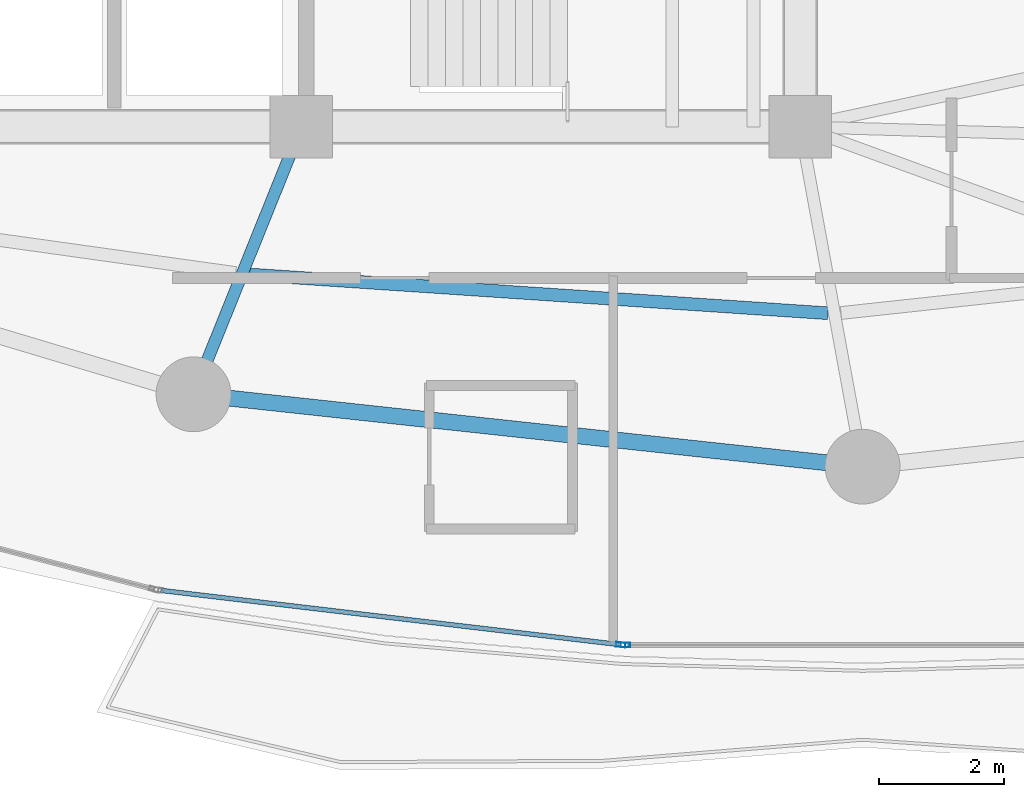
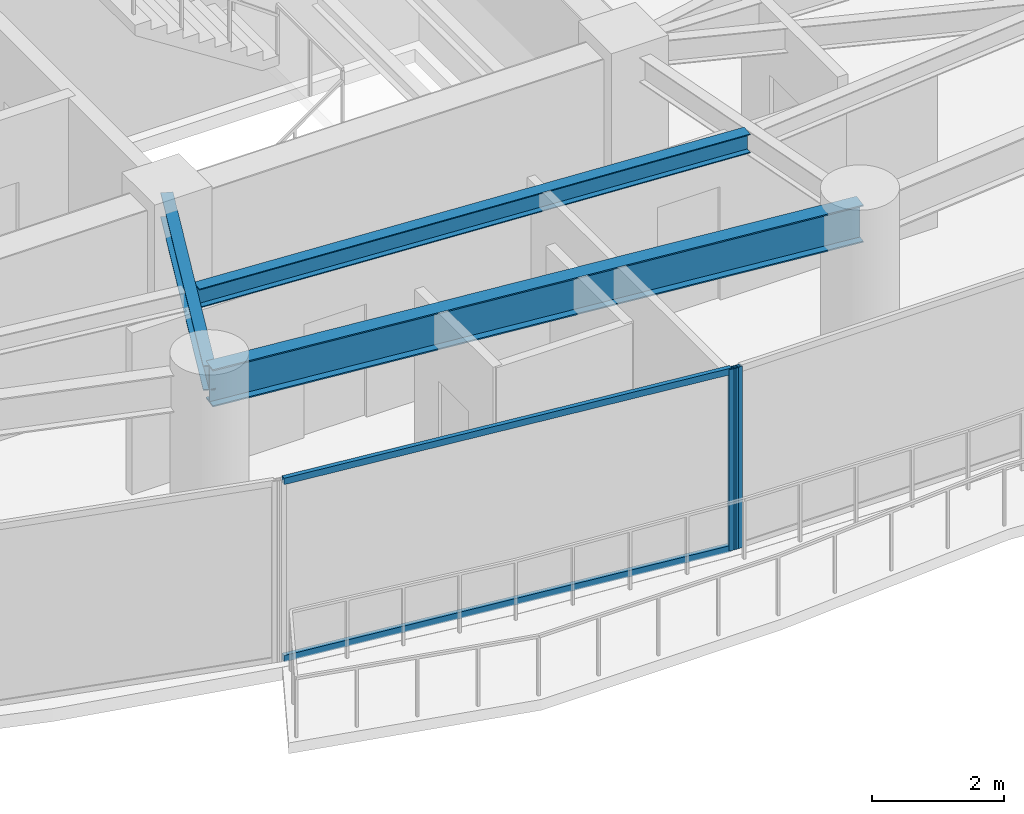
# One storey, part 6 of 33: 4 members, 3 beams, 2 elements without a shape of their own.
"""IFC4 building model written with IfcOpenShell, lengths in metres."""

import ifcopenshell
import ifcopenshell.guid

model = None  # the IFC model being written
_history = None  # IfcOwnerHistory: only IFC2X3 demands one
_inside = {}  # id of a spatial element -> (the spatial element, [elements in it])
_under = {}  # id of a project, library or spatial element -> (it, [spatial elements below it])
_declared = {}  # id of a project -> (the project, [libraries it declares])
_typed = {}  # id of a type object -> (the type object, [elements of that type])
_made_of = {}  # id of a material, layer set ... -> (it, [elements and type objects made of it])


def new_model(schema):
    """Start an empty IFC model of exactly this schema.

    Asked for "IFC4X3", IfcOpenShell would pick the latest addendum, in which some entities
    have other attributes; the version numbers below select the first issue.
    IFC2X3 requires an IfcOwnerHistory on every rooted entity: one is made here for all.
    """
    global model, _history
    if schema == "IFC4X3":
        model = ifcopenshell.file(schema_version=(4, 3, 0, 0))
    else:
        model = ifcopenshell.file(schema=schema)
    _inside.clear()
    _under.clear()
    _declared.clear()
    _typed.clear()
    _made_of.clear()
    _history = None
    if model.schema == "IFC2X3":
        org = make("IfcOrganization", Name="unknown")
        user = make(
            "IfcPersonAndOrganization",
            ThePerson=make("IfcPerson", FamilyName="unknown"),
            TheOrganization=org,
        )
        app = make(
            "IfcApplication",
            ApplicationDeveloper=org,
            Version="unknown",
            ApplicationFullName="unknown",
            ApplicationIdentifier="unknown",
        )
        _history = make(
            "IfcOwnerHistory",
            OwningUser=user,
            OwningApplication=app,
            ChangeAction="ADDED",
            CreationDate=0,
        )
    return model


def make(cls, **values):
    """One entity of the class cls with the attributes given. An attribute that is None is left unset."""
    return model.create_entity(
        cls, **{name: value for name, value in values.items() if value is not None}
    )


def rooted(cls, **values):
    """An entity with a GlobalId (a new one), such as an element, a storey or a relation."""
    return make(cls, GlobalId=ifcopenshell.guid.new(), OwnerHistory=_history, **values)


def si_unit(unit_type, name, prefix=None):
    """IfcSIUnit, for example si_unit("LENGTHUNIT", "METRE", prefix="MILLI")."""
    return make("IfcSIUnit", UnitType=unit_type, Prefix=prefix, Name=name)


def assignment(units):
    """IfcUnitAssignment: the units of a project."""
    return None if units is None else make("IfcUnitAssignment", Units=units)


def point(xyz):
    """IfcCartesianPoint."""
    return None if xyz is None else make("IfcCartesianPoint", Coordinates=xyz)


def direction(xyz):
    """IfcDirection."""
    return None if xyz is None else make("IfcDirection", DirectionRatios=xyz)


def frame(location, z_axis=None, x_axis=None):
    """IfcAxis2Placement3D, a coordinate frame: its origin and axes. An axis left out is left unset."""
    return make(
        "IfcAxis2Placement3D",
        Location=point(location),
        Axis=direction(z_axis),
        RefDirection=direction(x_axis),
    )


def frame_2d(location, x_axis=None):
    """IfcAxis2Placement2D, a coordinate frame in the plane: its origin and x axis."""
    return make(
        "IfcAxis2Placement2D", Location=point(location), RefDirection=direction(x_axis)
    )


def origin():
    """The frame at (0, 0, 0) with its axes left unset."""
    return frame((0.0, 0.0, 0.0))


def origin_2d():
    """The frame at (0, 0) in the plane with its x axis left unset."""
    return frame_2d((0.0, 0.0))


def place(relative_to, where):
    """IfcLocalPlacement: puts the frame where relative to a parent placement (None: the world)."""
    return make(
        "IfcLocalPlacement", PlacementRelTo=relative_to, RelativePlacement=where
    )


def context(
    kind, dimensions, precision=None, world=None, true_north=None, identifier=None
):
    """IfcGeometricRepresentationContext, for example the 3D "Model" context."""
    return make(
        "IfcGeometricRepresentationContext",
        ContextIdentifier=identifier,
        ContextType=kind,
        CoordinateSpaceDimension=dimensions,
        Precision=precision,
        WorldCoordinateSystem=world,
        TrueNorth=true_north,
    )


def subcontext(parent, identifier, kind, view, scale=None):
    """IfcGeometricRepresentationSubContext, for example "Body" below "Model"."""
    return make(
        "IfcGeometricRepresentationSubContext",
        ContextIdentifier=identifier,
        ContextType=kind,
        ParentContext=parent,
        TargetScale=scale,
        TargetView=view,
    )


def project(units=None, contexts=None):
    """IfcProject with its units and contexts."""
    return rooted(
        "IfcProject",
        Name="project",
        RepresentationContexts=contexts,
        UnitsInContext=assignment(units),
    )


def spatial(cls, under=None, at=None, **own):
    """A site, building, storey or space (cls), placed at a placement, below another one or the project."""
    s = rooted(cls, ObjectPlacement=at, **own)
    if under is not None:
        _under.setdefault(under.id(), (under, []))[1].append(s)
    return s


def profile(cls, at=None, kind="AREA", **sizes):
    """A parametric profile (cls). Its sizes go by their IFC names, for example OverallWidth=200.0."""
    return make(cls, ProfileType=kind, Position=at, **sizes)


def hollow_rectangle(**sizes):
    """IfcRectangleHollowProfileDef."""
    return profile("IfcRectangleHollowProfileDef", **sizes)


def i_section(**sizes):
    """IfcIShapeProfileDef."""
    return profile("IfcIShapeProfileDef", **sizes)


def extrude(swept, where, along, depth):
    """IfcExtrudedAreaSolid: the profile swept, set in the frame where, extruded along a direction by depth."""
    return make(
        "IfcExtrudedAreaSolid",
        SweptArea=swept,
        Position=where,
        ExtrudedDirection=direction(along),
        Depth=depth,
    )


def shape(context_of_items, identifier, shape_type, items):
    """IfcShapeRepresentation: the items that make up one representation, for example the "Body"."""
    return make(
        "IfcShapeRepresentation",
        ContextOfItems=context_of_items,
        RepresentationIdentifier=identifier,
        RepresentationType=shape_type,
        Items=items,
    )


def material(Name=None, Category=None):
    """IfcMaterial."""
    return make("IfcMaterial", Name=Name, Category=Category)


def layer(
    of_material, thickness, ventilated=None, Name=None, Category=None, Priority=None
):
    """IfcMaterialLayer: one layer of a wall or slab, of a material (None: an air gap)."""
    return make(
        "IfcMaterialLayer",
        Material=of_material,
        LayerThickness=thickness,
        IsVentilated=ventilated,
        Name=Name,
        Category=Category,
        Priority=Priority,
    )


def layer_set(layers, Name=None):
    """IfcMaterialLayerSet."""
    return make("IfcMaterialLayerSet", MaterialLayers=layers, LayerSetName=Name)


def material_profile(
    of_material, cross_section, Name=None, Category=None, Priority=None
):
    """IfcMaterialProfile: a cross section and its material."""
    return make(
        "IfcMaterialProfile",
        Name=Name,
        Material=of_material,
        Profile=cross_section,
        Priority=Priority,
        Category=Category,
    )


def profile_set(profiles, Name=None, composite=None):
    """IfcMaterialProfileSet."""
    return make(
        "IfcMaterialProfileSet",
        Name=Name,
        MaterialProfiles=profiles,
        CompositeProfile=composite,
    )


def made_of(thing, what):
    """Note that an element or type object is made of a material, layer set ...; save() writes the relation."""
    if what is not None:
        _made_of.setdefault(what.id(), (what, []))[1].append(thing)
    return thing


def type_object(cls, material=None, **own):
    """A type object (cls), such as IfcWallType, which elements share."""
    return made_of(rooted(cls, **own), material)


def element(
    cls,
    number,
    at=None,
    inside=None,
    cuts=None,
    type_object=None,
    material=None,
    context=None,
    identifier="Body",
    shape_type=None,
    held_by="IfcProductDefinitionShape",
    body=None,
    shapes=None,
    **own,
):
    """One element of the class cls, such as IfcWall. Its Tag is "e" and its number.

    at: its placement. inside: the storey or other place that contains it. cuts: it is an
    opening in that element (IfcRelVoidsElement). A single representation is given by context,
    identifier, shape_type and body (its items); several are given by shapes. held_by: the class
    of the entity that holds the representations. save() writes the other relations.
    """
    e = rooted(cls, Tag="e%d" % number, ObjectPlacement=at, **own)
    if body is not None:
        shapes = [shape(context, identifier, shape_type, body)]
    if shapes is not None:
        e.Representation = make(held_by, Representations=shapes)
    if inside is not None:
        _inside.setdefault(inside.id(), (inside, []))[1].append(e)
    if cuts is not None:
        rooted(
            "IfcRelVoidsElement", RelatingBuildingElement=cuts, RelatedOpeningElement=e
        )
    if type_object is not None:
        _typed.setdefault(type_object.id(), (type_object, []))[1].append(e)
    return made_of(e, material)


def aggregate(whole, parts):
    """IfcRelAggregates: a whole, such as a stair, and the parts it consists of."""
    return rooted("IfcRelAggregates", RelatingObject=whole, RelatedObjects=parts)


def save(model, path):
    """Write the relations noted so far, then the file.

    IfcRelAggregates (storeys below a building ...), IfcRelContainedInSpatialStructure (elements
    in a storey), IfcRelDefinesByType, IfcRelAssociatesMaterial and IfcRelDeclares: one each for
    every whole, place, type object, material and project.
    """
    for whole, parts in _under.values():
        aggregate(whole, parts)
    for where, things in _inside.values():
        rooted(
            "IfcRelContainedInSpatialStructure",
            RelatedElements=things,
            RelatingStructure=where,
        )
    for kind, things in _typed.values():
        rooted("IfcRelDefinesByType", RelatedObjects=things, RelatingType=kind)
    for what, things in _made_of.values():
        rooted("IfcRelAssociatesMaterial", RelatedObjects=things, RelatingMaterial=what)
    for by, libraries in _declared.values():
        rooted("IfcRelDeclares", RelatingContext=by, RelatedDefinitions=libraries)
    model.write(path)


model = new_model("IFC4")

# Units and contexts
model_context = context("Model", 3, precision=1e-05, world=origin(), true_north=direction((0.0, 1.0)))
body_context = subcontext(model_context, "Body", "Model", "MODEL_VIEW")
ifc_project = project(units=[si_unit("LENGTHUNIT", "METRE"), si_unit("AREAUNIT", "SQUARE_METRE"), si_unit("VOLUMEUNIT", "CUBIC_METRE"), si_unit("PLANEANGLEUNIT", "RADIAN"), si_unit("MASSUNIT", "GRAM", prefix="KILO")], contexts=[model_context])

# Site, building, storey
site_placement = place(None, origin())
site = spatial("IfcSite", under=ifc_project, at=site_placement, CompositionType="ELEMENT")
building_placement = place(site_placement, origin())
building = spatial("IfcBuilding", under=site, at=building_placement, Name="Kazevale Care Tower and Concert Hall", CompositionType="ELEMENT")
storey_placement = place(building_placement, frame((0.0, 0.0, 149.39990234375)))
storey = spatial("IfcBuildingStorey", under=building, at=storey_placement, Name="L39", CompositionType="ELEMENT", Elevation=149.39990234375)

# Curtain wall, member
ifc_material_1 = material(Name="Aluminium 6063-T6 and Low-E Glass", Category="aluminium")
ifc_layer = layer(ifc_material_1, 0.179931640625)
ifc_layer_set = layer_set([ifc_layer], Name="Aluminium 6063-T6 and Low-E Glass")
curtain_wall_type = type_object("IfcCurtainWallType", Name="Sheltered Concave Balcony Curtain Wall CW-5", PredefinedType="NOTDEFINED", material=ifc_layer_set)
curtain_wall_1_placement = place(storey_placement, origin())
curtain_wall_1 = element("IfcCurtainWall", 1, at=curtain_wall_1_placement, inside=storey, type_object=curtain_wall_type, Name="cw:L39:f06", PredefinedType="NOTDEFINED")
ifc_material_2 = material(Name="Aluminium 6063-T6", Category="aluminium")
ifc_material_profile_1 = material_profile(ifc_material_2, hollow_rectangle(XDim=0.074951171875, YDim=0.14990234375, WallThickness=0.00390625, at=origin_2d()), Name="ALU75x150x4")
ifc_profile_set_1 = profile_set([ifc_material_profile_1], Name="Aluminium 6063-T6")
member_type_1 = type_object("IfcMemberType", Name="CW-5 Mullion ALU75x150x4", PredefinedType="MULLION", material=ifc_profile_set_1)
member_1_placement = place(storey_placement, frame((41.196533203125, 15.2890625, 0.0), z_axis=(0.0, 0.0, 1.0), x_axis=(0.0, -1.0, 0.0)))
member_1 = element("IfcMember", 2, at=member_1_placement, type_object=member_type_1, Name="CW-5 mullion 2", PredefinedType="MULLION", context=body_context, shape_type="SweptSolid", body=[
    extrude(hollow_rectangle(XDim=0.074951171875, YDim=0.14990234375, WallThickness=0.00390625, at=origin_2d()), origin(), (0.0, 0.0, 1.0), 3.360107421875),
])
aggregate(curtain_wall_1, [member_1])

# Curtain wall, members
curtain_wall_2_placement = place(storey_placement, origin())
curtain_wall_2 = element("IfcCurtainWall", 3, at=curtain_wall_2_placement, inside=storey, type_object=curtain_wall_type, Name="cw:L39:f07", PredefinedType="NOTDEFINED")
member_2_placement = place(storey_placement, frame((41.121826171875, 15.29345703125, 0.0), z_axis=(0.0, 0.0, 1.0), x_axis=(-0.117372179238, -0.993087997884, 0.0)))
member_2 = element("IfcMember", 4, at=member_2_placement, type_object=member_type_1, Name="CW-5 mullion 1", PredefinedType="MULLION", context=body_context, shape_type="SweptSolid", body=[
    extrude(hollow_rectangle(XDim=0.074951171875, YDim=0.14990234375, WallThickness=0.00390625, at=origin_2d()), origin(), (0.0, 0.0, 1.0), 3.360107421875),
])
ifc_material_profile_2 = material_profile(ifc_material_2, hollow_rectangle(XDim=0.074951171875, YDim=0.1201171875, WallThickness=0.00390625, at=origin_2d()), Name="ALU75x120x4")
ifc_profile_set_2 = profile_set([ifc_material_profile_2], Name="Aluminium 6063-T6")
member_type_2 = type_object("IfcMemberType", Name="CW-5 Transom ALU75x120x4", PredefinedType="USERDEFINED", material=ifc_profile_set_2)
member_3_placement = place(storey_placement, frame((41.08447265625, 15.2978515625, 0.03759765625), z_axis=(-0.993087545854, 0.117376003806, 0.0), x_axis=(-0.117376003806, -0.993087545854, 0.0)))
member_3 = element("IfcMember", 5, at=member_3_placement, type_object=member_type_2, Name="CW-5 transom 1.1", ObjectType="TRANSOM", PredefinedType="USERDEFINED", context=body_context, shape_type="SweptSolid", body=[
    extrude(hollow_rectangle(XDim=0.074951171875, YDim=0.1201171875, WallThickness=0.00390625, at=origin_2d()), origin(), (0.0, 0.0, 1.0), 7.39013671875),
])
member_4_placement = place(storey_placement, frame((41.08447265625, 15.2978515625, 3.322509765625), z_axis=(-0.993087545854, 0.117376003806, 0.0), x_axis=(-0.117376003806, -0.993087545854, 0.0)))
member_4 = element("IfcMember", 6, at=member_4_placement, type_object=member_type_2, Name="CW-5 transom 1.2", ObjectType="TRANSOM", PredefinedType="USERDEFINED", context=body_context, shape_type="SweptSolid", body=[
    extrude(hollow_rectangle(XDim=0.074951171875, YDim=0.1201171875, WallThickness=0.00390625, at=origin_2d()), origin(), (0.0, 0.0, 1.0), 7.39013671875),
])
aggregate(curtain_wall_2, [member_2, member_3, member_4])

# Beams
ifc_material_3 = material(Name="Steel ASTM A572 Gr 50", Category="steel")
ifc_material_profile_3 = material_profile(ifc_material_3, i_section(OverallWidth=0.19091796875, OverallDepth=0.4599609375, WebThickness=0.010009765625, FlangeThickness=0.01611328125, at=origin_2d()), Name="W460x82")
ifc_profile_set_3 = profile_set([ifc_material_profile_3], Name="Steel ASTM A572 Gr 50")
beam_type_1 = type_object("IfcBeamType", Name="Radial Floor Beam W460x82", PredefinedType="BEAM", material=ifc_profile_set_3)
beam_1_placement = place(storey_placement, frame((36.0, 23.60009765625, 3.130126953125), z_axis=(-0.373991766452, -0.927432023722, 0.0), x_axis=(0.927432023722, -0.373991766452, 0.0)))
element("IfcBeam", 7, at=beam_1_placement, inside=storey, type_object=beam_type_1, Name="beam:L39:rad:12", PredefinedType="BEAM", context=body_context, shape_type="SweptSolid", body=[
    extrude(i_section(OverallWidth=0.19091796875, OverallDepth=0.4599609375, WebThickness=0.010009765625, FlangeThickness=0.01611328125, at=origin_2d()), origin(), (0.0, 0.0, 1.0), 4.625732421875),
])
ifc_material_profile_4 = material_profile(ifc_material_3, i_section(OverallWidth=0.205078125, OverallDepth=0.35400390625, WebThickness=0.009521484375, FlangeThickness=0.016845703125, at=origin_2d()), Name="W360x79")
ifc_profile_set_4 = profile_set([ifc_material_profile_4], Name="Steel ASTM A572 Gr 50")
beam_type_2 = type_object("IfcBeamType", Name="Secondary Floor Joist W360x79", PredefinedType="JOIST", material=ifc_profile_set_4)
beam_2_placement = place(storey_placement, frame((35.153076171875, 21.23291015625, 3.18310546875), z_axis=(0.997761314569, -0.06687569925, 0.0), x_axis=(0.06687569925, 0.997761314569, 0.0)))
element("IfcBeam", 8, at=beam_2_placement, inside=storey, type_object=beam_type_2, Name="beam:L39:joist:12", PredefinedType="JOIST", context=body_context, shape_type="SweptSolid", body=[
    extrude(i_section(OverallWidth=0.205078125, OverallDepth=0.35400390625, WebThickness=0.009521484375, FlangeThickness=0.016845703125, at=origin_2d()), origin(), (0.0, 0.0, 1.0), 9.312744140625),
])
ifc_material_profile_5 = material_profile(ifc_material_3, i_section(OverallWidth=0.256103515625, OverallDepth=0.693115234375, WebThickness=0.014404296875, FlangeThickness=0.023681640625, at=origin_2d()), Name="W690x170")
ifc_profile_set_5 = profile_set([ifc_material_profile_5], Name="Steel ASTM A572 Gr 50")
beam_type_3 = type_object("IfcBeamType", Name="Waist Ring Beam W690x170", PredefinedType="BEAM", material=ifc_profile_set_5)
beam_3_placement = place(storey_placement, frame((34.27001953125, 19.31005859375, 3.013671875), z_axis=(0.994205479487, -0.107496346724, 0.0), x_axis=(0.107496346724, 0.994205479487, 0.0)))
element("IfcBeam", 9, at=beam_3_placement, inside=storey, type_object=beam_type_3, Name="beam:L39:ring:12", PredefinedType="BEAM", context=body_context, shape_type="SweptSolid", body=[
    extrude(i_section(OverallWidth=0.256103515625, OverallDepth=0.693115234375, WebThickness=0.014404296875, FlangeThickness=0.023681640625, at=origin_2d()), origin(), (0.0, 0.0, 1.0), 10.79248046875),
])

save(model, "model.ifc")
